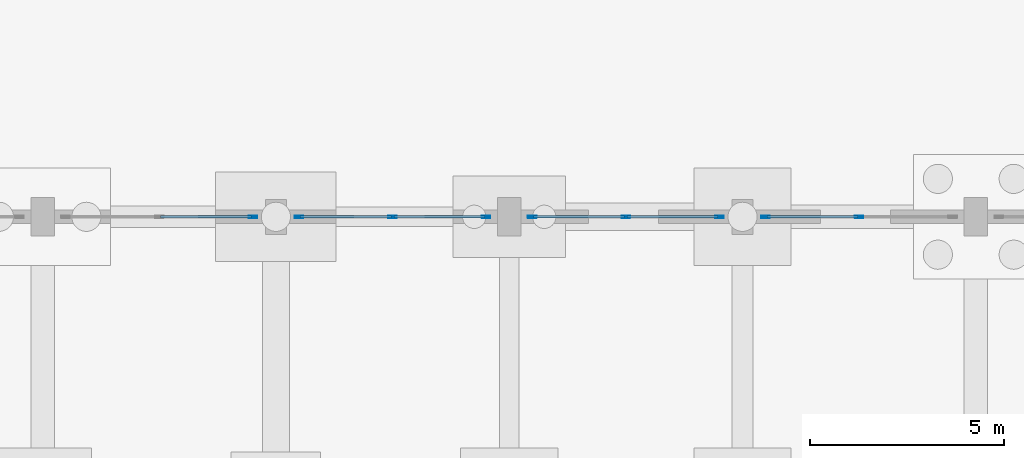
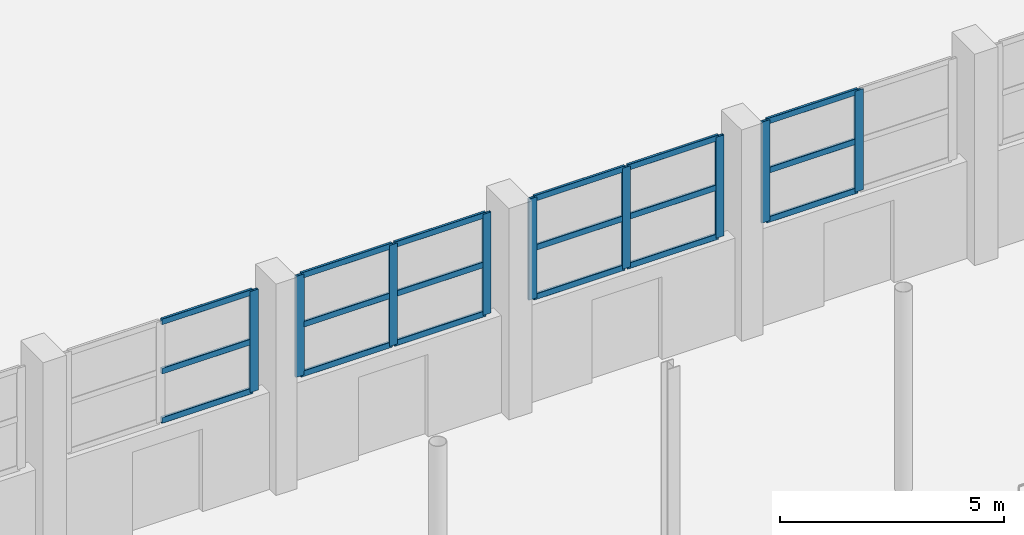
# One storey, part 55 of 103: 27 members, 4 elements without a shape of their own.
"""IFC4 building model written with IfcOpenShell, lengths in metres."""

import ifcopenshell
import ifcopenshell.guid

model = None  # the IFC model being written
_history = None  # IfcOwnerHistory: only IFC2X3 demands one
_inside = {}  # id of a spatial element -> (the spatial element, [elements in it])
_under = {}  # id of a project, library or spatial element -> (it, [spatial elements below it])
_declared = {}  # id of a project -> (the project, [libraries it declares])
_typed = {}  # id of a type object -> (the type object, [elements of that type])
_made_of = {}  # id of a material, layer set ... -> (it, [elements and type objects made of it])


def new_model(schema):
    """Start an empty IFC model of exactly this schema.

    Asked for "IFC4X3", IfcOpenShell would pick the latest addendum, in which some entities
    have other attributes; the version numbers below select the first issue.
    IFC2X3 requires an IfcOwnerHistory on every rooted entity: one is made here for all.
    """
    global model, _history
    if schema == "IFC4X3":
        model = ifcopenshell.file(schema_version=(4, 3, 0, 0))
    else:
        model = ifcopenshell.file(schema=schema)
    _inside.clear()
    _under.clear()
    _declared.clear()
    _typed.clear()
    _made_of.clear()
    _history = None
    if model.schema == "IFC2X3":
        org = make("IfcOrganization", Name="unknown")
        user = make(
            "IfcPersonAndOrganization",
            ThePerson=make("IfcPerson", FamilyName="unknown"),
            TheOrganization=org,
        )
        app = make(
            "IfcApplication",
            ApplicationDeveloper=org,
            Version="unknown",
            ApplicationFullName="unknown",
            ApplicationIdentifier="unknown",
        )
        _history = make(
            "IfcOwnerHistory",
            OwningUser=user,
            OwningApplication=app,
            ChangeAction="ADDED",
            CreationDate=0,
        )
    return model


def make(cls, **values):
    """One entity of the class cls with the attributes given. An attribute that is None is left unset."""
    return model.create_entity(
        cls, **{name: value for name, value in values.items() if value is not None}
    )


def rooted(cls, **values):
    """An entity with a GlobalId (a new one), such as an element, a storey or a relation."""
    return make(cls, GlobalId=ifcopenshell.guid.new(), OwnerHistory=_history, **values)


def si_unit(unit_type, name, prefix=None):
    """IfcSIUnit, for example si_unit("LENGTHUNIT", "METRE", prefix="MILLI")."""
    return make("IfcSIUnit", UnitType=unit_type, Prefix=prefix, Name=name)


def assignment(units):
    """IfcUnitAssignment: the units of a project."""
    return None if units is None else make("IfcUnitAssignment", Units=units)


def point(xyz):
    """IfcCartesianPoint."""
    return None if xyz is None else make("IfcCartesianPoint", Coordinates=xyz)


def direction(xyz):
    """IfcDirection."""
    return None if xyz is None else make("IfcDirection", DirectionRatios=xyz)


def frame(location, z_axis=None, x_axis=None):
    """IfcAxis2Placement3D, a coordinate frame: its origin and axes. An axis left out is left unset."""
    return make(
        "IfcAxis2Placement3D",
        Location=point(location),
        Axis=direction(z_axis),
        RefDirection=direction(x_axis),
    )


def frame_2d(location, x_axis=None):
    """IfcAxis2Placement2D, a coordinate frame in the plane: its origin and x axis."""
    return make(
        "IfcAxis2Placement2D", Location=point(location), RefDirection=direction(x_axis)
    )


def origin():
    """The frame at (0, 0, 0) with its axes left unset."""
    return frame((0.0, 0.0, 0.0))


def origin_2d():
    """The frame at (0, 0) in the plane with its x axis left unset."""
    return frame_2d((0.0, 0.0))


def place(relative_to, where):
    """IfcLocalPlacement: puts the frame where relative to a parent placement (None: the world)."""
    return make(
        "IfcLocalPlacement", PlacementRelTo=relative_to, RelativePlacement=where
    )


def context(
    kind, dimensions, precision=None, world=None, true_north=None, identifier=None
):
    """IfcGeometricRepresentationContext, for example the 3D "Model" context."""
    return make(
        "IfcGeometricRepresentationContext",
        ContextIdentifier=identifier,
        ContextType=kind,
        CoordinateSpaceDimension=dimensions,
        Precision=precision,
        WorldCoordinateSystem=world,
        TrueNorth=true_north,
    )


def subcontext(parent, identifier, kind, view, scale=None):
    """IfcGeometricRepresentationSubContext, for example "Body" below "Model"."""
    return make(
        "IfcGeometricRepresentationSubContext",
        ContextIdentifier=identifier,
        ContextType=kind,
        ParentContext=parent,
        TargetScale=scale,
        TargetView=view,
    )


def project(units=None, contexts=None):
    """IfcProject with its units and contexts."""
    return rooted(
        "IfcProject",
        Name="project",
        RepresentationContexts=contexts,
        UnitsInContext=assignment(units),
    )


def spatial(cls, under=None, at=None, **own):
    """A site, building, storey or space (cls), placed at a placement, below another one or the project."""
    s = rooted(cls, ObjectPlacement=at, **own)
    if under is not None:
        _under.setdefault(under.id(), (under, []))[1].append(s)
    return s


def profile(cls, at=None, kind="AREA", **sizes):
    """A parametric profile (cls). Its sizes go by their IFC names, for example OverallWidth=200.0."""
    return make(cls, ProfileType=kind, Position=at, **sizes)


def hollow_rectangle(**sizes):
    """IfcRectangleHollowProfileDef."""
    return profile("IfcRectangleHollowProfileDef", **sizes)


def extrude(swept, where, along, depth):
    """IfcExtrudedAreaSolid: the profile swept, set in the frame where, extruded along a direction by depth."""
    return make(
        "IfcExtrudedAreaSolid",
        SweptArea=swept,
        Position=where,
        ExtrudedDirection=direction(along),
        Depth=depth,
    )


def shape(context_of_items, identifier, shape_type, items):
    """IfcShapeRepresentation: the items that make up one representation, for example the "Body"."""
    return make(
        "IfcShapeRepresentation",
        ContextOfItems=context_of_items,
        RepresentationIdentifier=identifier,
        RepresentationType=shape_type,
        Items=items,
    )


def material(Name=None, Category=None):
    """IfcMaterial."""
    return make("IfcMaterial", Name=Name, Category=Category)


def layer(
    of_material, thickness, ventilated=None, Name=None, Category=None, Priority=None
):
    """IfcMaterialLayer: one layer of a wall or slab, of a material (None: an air gap)."""
    return make(
        "IfcMaterialLayer",
        Material=of_material,
        LayerThickness=thickness,
        IsVentilated=ventilated,
        Name=Name,
        Category=Category,
        Priority=Priority,
    )


def layer_set(layers, Name=None):
    """IfcMaterialLayerSet."""
    return make("IfcMaterialLayerSet", MaterialLayers=layers, LayerSetName=Name)


def material_profile(
    of_material, cross_section, Name=None, Category=None, Priority=None
):
    """IfcMaterialProfile: a cross section and its material."""
    return make(
        "IfcMaterialProfile",
        Name=Name,
        Material=of_material,
        Profile=cross_section,
        Priority=Priority,
        Category=Category,
    )


def profile_set(profiles, Name=None, composite=None):
    """IfcMaterialProfileSet."""
    return make(
        "IfcMaterialProfileSet",
        Name=Name,
        MaterialProfiles=profiles,
        CompositeProfile=composite,
    )


def made_of(thing, what):
    """Note that an element or type object is made of a material, layer set ...; save() writes the relation."""
    if what is not None:
        _made_of.setdefault(what.id(), (what, []))[1].append(thing)
    return thing


def type_object(cls, material=None, **own):
    """A type object (cls), such as IfcWallType, which elements share."""
    return made_of(rooted(cls, **own), material)


def element(
    cls,
    number,
    at=None,
    inside=None,
    cuts=None,
    type_object=None,
    material=None,
    context=None,
    identifier="Body",
    shape_type=None,
    held_by="IfcProductDefinitionShape",
    body=None,
    shapes=None,
    **own,
):
    """One element of the class cls, such as IfcWall. Its Tag is "e" and its number.

    at: its placement. inside: the storey or other place that contains it. cuts: it is an
    opening in that element (IfcRelVoidsElement). A single representation is given by context,
    identifier, shape_type and body (its items); several are given by shapes. held_by: the class
    of the entity that holds the representations. save() writes the other relations.
    """
    e = rooted(cls, Tag="e%d" % number, ObjectPlacement=at, **own)
    if body is not None:
        shapes = [shape(context, identifier, shape_type, body)]
    if shapes is not None:
        e.Representation = make(held_by, Representations=shapes)
    if inside is not None:
        _inside.setdefault(inside.id(), (inside, []))[1].append(e)
    if cuts is not None:
        rooted(
            "IfcRelVoidsElement", RelatingBuildingElement=cuts, RelatedOpeningElement=e
        )
    if type_object is not None:
        _typed.setdefault(type_object.id(), (type_object, []))[1].append(e)
    return made_of(e, material)


def aggregate(whole, parts):
    """IfcRelAggregates: a whole, such as a stair, and the parts it consists of."""
    return rooted("IfcRelAggregates", RelatingObject=whole, RelatedObjects=parts)


def save(model, path):
    """Write the relations noted so far, then the file.

    IfcRelAggregates (storeys below a building ...), IfcRelContainedInSpatialStructure (elements
    in a storey), IfcRelDefinesByType, IfcRelAssociatesMaterial and IfcRelDeclares: one each for
    every whole, place, type object, material and project.
    """
    for whole, parts in _under.values():
        aggregate(whole, parts)
    for where, things in _inside.values():
        rooted(
            "IfcRelContainedInSpatialStructure",
            RelatedElements=things,
            RelatingStructure=where,
        )
    for kind, things in _typed.values():
        rooted("IfcRelDefinesByType", RelatedObjects=things, RelatingType=kind)
    for what, things in _made_of.values():
        rooted("IfcRelAssociatesMaterial", RelatedObjects=things, RelatingMaterial=what)
    for by, libraries in _declared.values():
        rooted("IfcRelDeclares", RelatingContext=by, RelatedDefinitions=libraries)
    model.write(path)


model = new_model("IFC4")

# Units and contexts
model_context = context("Model", 3, precision=1e-05, world=origin(), true_north=direction((0.0, 1.0)))
body_context = subcontext(model_context, "Body", "Model", "MODEL_VIEW")
ifc_project = project(units=[si_unit("LENGTHUNIT", "METRE"), si_unit("AREAUNIT", "SQUARE_METRE"), si_unit("VOLUMEUNIT", "CUBIC_METRE"), si_unit("PLANEANGLEUNIT", "RADIAN"), si_unit("MASSUNIT", "GRAM", prefix="KILO")], contexts=[model_context])

# Site, building, storey
site_placement = place(None, origin())
site = spatial("IfcSite", under=ifc_project, at=site_placement, CompositionType="ELEMENT")
building_placement = place(site_placement, origin())
building = spatial("IfcBuilding", under=site, at=building_placement, Name="Dunvalen Ferry Terminal", CompositionType="ELEMENT")
storey_placement = place(building_placement, origin())
storey = spatial("IfcBuildingStorey", under=building, at=storey_placement, Name="L00", CompositionType="ELEMENT", Elevation=0.0)

# Curtain wall, member
ifc_material_1 = material(Name="Anodised marine aluminium and solar-control glazing", Category="aluminium")
ifc_layer = layer(ifc_material_1, 0.219970703125, Name="Anodised marine aluminium and solar-control glazing")
ifc_layer_set = layer_set([ifc_layer], Name="Anodised marine aluminium and solar-control glazing")
curtain_wall_type = type_object("IfcCurtainWallType", Name="ENV-CW-SYS-01", PredefinedType="NOTDEFINED", material=ifc_layer_set)
curtain_wall_1_placement = place(storey_placement, origin())
curtain_wall_1 = element("IfcCurtainWall", 1, at=curtain_wall_1_placement, inside=storey, type_object=curtain_wall_type, Name="L00 Curtain Wall CW-V1N-L00-09", PredefinedType="NOTDEFINED")
ifc_material_2 = material(Name="Anodised marine aluminium EN AW-6063 T6", Category="aluminium")
ifc_material_profile_1 = material_profile(ifc_material_2, hollow_rectangle(XDim=0.06494140625, YDim=0.219970703125, WallThickness=0.00390625, InnerFilletRadius=0.00390625, OuterFilletRadius=0.008056640625, at=origin_2d()), Name="Anodised marine aluminium EN AW-6063 T6")
ifc_profile_set_1 = profile_set([ifc_material_profile_1], Name="Anodised marine aluminium EN AW-6063 T6")
member_type_1 = type_object("IfcMemberType", Name="ENV-CW-MUL-1", PredefinedType="MULLION", material=ifc_profile_set_1)
member_1_placement = place(storey_placement, frame((65.407470703125, 86.39990234375, 2.699951171875), z_axis=(0.0, 0.0, 1.0), x_axis=(0.0, 1.0, 0.0)))
member_1 = element("IfcMember", 2, at=member_1_placement, type_object=member_type_1, Name="CW-01 mullion 3", PredefinedType="MULLION", context=body_context, shape_type="SweptSolid", body=[
    extrude(hollow_rectangle(XDim=0.06494140625, YDim=0.219970703125, WallThickness=0.00390625, InnerFilletRadius=0.00390625, OuterFilletRadius=0.008056640625, at=origin_2d()), origin(), (0.0, 0.0, 1.0), 2.75),
])

# Curtain wall, members
curtain_wall_2_placement = place(storey_placement, origin())
curtain_wall_2 = element("IfcCurtainWall", 3, at=curtain_wall_2_placement, inside=storey, type_object=curtain_wall_type, Name="L00 Curtain Wall CW-V1N-L00-10", PredefinedType="NOTDEFINED")
member_2_placement = place(storey_placement, frame((66.592529296875, 86.39990234375, 2.699951171875), z_axis=(0.0, 0.0, 1.0), x_axis=(0.0, 1.0, 0.0)))
member_2 = element("IfcMember", 4, at=member_2_placement, type_object=member_type_1, Name="CW-01 mullion 1", PredefinedType="MULLION", context=body_context, shape_type="SweptSolid", body=[
    extrude(hollow_rectangle(XDim=0.06494140625, YDim=0.219970703125, WallThickness=0.00390625, InnerFilletRadius=0.00390625, OuterFilletRadius=0.008056640625, at=origin_2d()), origin(), (0.0, 0.0, 1.0), 2.75),
])
member_3_placement = place(storey_placement, frame((69.0, 86.39990234375, 2.699951171875), z_axis=(0.0, 0.0, 1.0), x_axis=(0.0, 1.0, 0.0)))
member_3 = element("IfcMember", 5, at=member_3_placement, type_object=member_type_1, Name="CW-01 mullion 2", PredefinedType="MULLION", context=body_context, shape_type="SweptSolid", body=[
    extrude(hollow_rectangle(XDim=0.06494140625, YDim=0.219970703125, WallThickness=0.00390625, InnerFilletRadius=0.00390625, OuterFilletRadius=0.008056640625, at=origin_2d()), origin(), (0.0, 0.0, 1.0), 2.75),
])
member_4_placement = place(storey_placement, frame((71.407470703125, 86.39990234375, 2.699951171875), z_axis=(0.0, 0.0, 1.0), x_axis=(0.0, 1.0, 0.0)))
member_4 = element("IfcMember", 6, at=member_4_placement, type_object=member_type_1, Name="CW-01 mullion 3", PredefinedType="MULLION", context=body_context, shape_type="SweptSolid", body=[
    extrude(hollow_rectangle(XDim=0.06494140625, YDim=0.219970703125, WallThickness=0.00390625, InnerFilletRadius=0.00390625, OuterFilletRadius=0.008056640625, at=origin_2d()), origin(), (0.0, 0.0, 1.0), 2.75),
])

curtain_wall_3_placement = place(storey_placement, origin())
curtain_wall_3 = element("IfcCurtainWall", 7, at=curtain_wall_3_placement, inside=storey, type_object=curtain_wall_type, Name="L00 Curtain Wall CW-V1N-L00-11", PredefinedType="NOTDEFINED")
member_5_placement = place(storey_placement, frame((72.592529296875, 86.39990234375, 2.699951171875), z_axis=(0.0, 0.0, 1.0), x_axis=(0.0, 1.0, 0.0)))
member_5 = element("IfcMember", 8, at=member_5_placement, type_object=member_type_1, Name="CW-01 mullion 1", PredefinedType="MULLION", context=body_context, shape_type="SweptSolid", body=[
    extrude(hollow_rectangle(XDim=0.06494140625, YDim=0.219970703125, WallThickness=0.00390625, InnerFilletRadius=0.00390625, OuterFilletRadius=0.008056640625, at=origin_2d()), origin(), (0.0, 0.0, 1.0), 2.75),
])
member_6_placement = place(storey_placement, frame((75.0, 86.39990234375, 2.699951171875), z_axis=(0.0, 0.0, 1.0), x_axis=(0.0, 1.0, 0.0)))
member_6 = element("IfcMember", 9, at=member_6_placement, type_object=member_type_1, Name="CW-01 mullion 2", PredefinedType="MULLION", context=body_context, shape_type="SweptSolid", body=[
    extrude(hollow_rectangle(XDim=0.06494140625, YDim=0.219970703125, WallThickness=0.00390625, InnerFilletRadius=0.00390625, OuterFilletRadius=0.008056640625, at=origin_2d()), origin(), (0.0, 0.0, 1.0), 2.75),
])
member_7_placement = place(storey_placement, frame((77.407470703125, 86.39990234375, 2.699951171875), z_axis=(0.0, 0.0, 1.0), x_axis=(0.0, 1.0, 0.0)))
member_7 = element("IfcMember", 10, at=member_7_placement, type_object=member_type_1, Name="CW-01 mullion 3", PredefinedType="MULLION", context=body_context, shape_type="SweptSolid", body=[
    extrude(hollow_rectangle(XDim=0.06494140625, YDim=0.219970703125, WallThickness=0.00390625, InnerFilletRadius=0.00390625, OuterFilletRadius=0.008056640625, at=origin_2d()), origin(), (0.0, 0.0, 1.0), 2.75),
])

curtain_wall_4_placement = place(storey_placement, origin())
curtain_wall_4 = element("IfcCurtainWall", 11, at=curtain_wall_4_placement, inside=storey, type_object=curtain_wall_type, Name="L00 Curtain Wall CW-V1N-L00-12", PredefinedType="NOTDEFINED")
member_8_placement = place(storey_placement, frame((78.592529296875, 86.39990234375, 2.699951171875), z_axis=(0.0, 0.0, 1.0), x_axis=(0.0, 1.0, 0.0)))
member_8 = element("IfcMember", 12, at=member_8_placement, type_object=member_type_1, Name="CW-01 mullion 1", PredefinedType="MULLION", context=body_context, shape_type="SweptSolid", body=[
    extrude(hollow_rectangle(XDim=0.06494140625, YDim=0.219970703125, WallThickness=0.00390625, InnerFilletRadius=0.00390625, OuterFilletRadius=0.008056640625, at=origin_2d()), origin(), (0.0, 0.0, 1.0), 2.75),
])
member_9_placement = place(storey_placement, frame((81.0, 86.39990234375, 2.699951171875), z_axis=(0.0, 0.0, 1.0), x_axis=(0.0, 1.0, 0.0)))
member_9 = element("IfcMember", 13, at=member_9_placement, type_object=member_type_1, Name="CW-01 mullion 2", PredefinedType="MULLION", context=body_context, shape_type="SweptSolid", body=[
    extrude(hollow_rectangle(XDim=0.06494140625, YDim=0.219970703125, WallThickness=0.00390625, InnerFilletRadius=0.00390625, OuterFilletRadius=0.008056640625, at=origin_2d()), origin(), (0.0, 0.0, 1.0), 2.75),
])

# Member
ifc_material_profile_2 = material_profile(ifc_material_2, hollow_rectangle(XDim=0.06494140625, YDim=0.159912109375, WallThickness=0.00341796875, InnerFilletRadius=0.00341796875, OuterFilletRadius=0.007080078125, at=origin_2d()), Name="Anodised marine aluminium EN AW-6063 T6")
ifc_profile_set_2 = profile_set([ifc_material_profile_2], Name="Anodised marine aluminium EN AW-6063 T6")
member_type_2 = type_object("IfcMemberType", Name="ENV-CW-TRN-1", PredefinedType="USERDEFINED", material=ifc_profile_set_2)
member_10_placement = place(storey_placement, frame((63.032470703125, 86.39990234375, 2.732421875), z_axis=(1.0, 0.0, 0.0), x_axis=(0.0, 1.0, 0.0)))
member_10 = element("IfcMember", 14, at=member_10_placement, type_object=member_type_2, Name="CW-01 transom 2.1", ObjectType="TRANSOM", PredefinedType="USERDEFINED", context=body_context, shape_type="SweptSolid", body=[
    extrude(hollow_rectangle(XDim=0.06494140625, YDim=0.159912109375, WallThickness=0.00341796875, InnerFilletRadius=0.00341796875, OuterFilletRadius=0.007080078125, at=origin_2d()), origin(), (0.0, 0.0, 1.0), 2.342529296875),
])

member_11_placement = place(storey_placement, frame((63.032470703125, 86.39990234375, 4.074951171875), z_axis=(1.0, 0.0, 0.0), x_axis=(0.0, 1.0, 0.0)))
member_11 = element("IfcMember", 15, at=member_11_placement, type_object=member_type_2, Name="CW-01 transom 2.2", ObjectType="TRANSOM", PredefinedType="USERDEFINED", context=body_context, shape_type="SweptSolid", body=[
    extrude(hollow_rectangle(XDim=0.06494140625, YDim=0.159912109375, WallThickness=0.00341796875, InnerFilletRadius=0.00341796875, OuterFilletRadius=0.007080078125, at=origin_2d()), origin(), (0.0, 0.0, 1.0), 2.342529296875),
])

member_12_placement = place(storey_placement, frame((63.032470703125, 86.39990234375, 5.41748046875), z_axis=(1.0, 0.0, 0.0), x_axis=(0.0, 1.0, 0.0)))
member_12 = element("IfcMember", 16, at=member_12_placement, type_object=member_type_2, Name="CW-01 transom 2.3", ObjectType="TRANSOM", PredefinedType="USERDEFINED", context=body_context, shape_type="SweptSolid", body=[
    extrude(hollow_rectangle(XDim=0.06494140625, YDim=0.159912109375, WallThickness=0.00341796875, InnerFilletRadius=0.00341796875, OuterFilletRadius=0.007080078125, at=origin_2d()), origin(), (0.0, 0.0, 1.0), 2.342529296875),
])

aggregate(curtain_wall_1, [member_1, member_10, member_11, member_12])

member_13_placement = place(storey_placement, frame((66.625, 86.39990234375, 2.732421875), z_axis=(1.0, 0.0, 0.0), x_axis=(0.0, 1.0, 0.0)))
member_13 = element("IfcMember", 17, at=member_13_placement, type_object=member_type_2, Name="CW-01 transom 1.1", ObjectType="TRANSOM", PredefinedType="USERDEFINED", context=body_context, shape_type="SweptSolid", body=[
    extrude(hollow_rectangle(XDim=0.06494140625, YDim=0.159912109375, WallThickness=0.00341796875, InnerFilletRadius=0.00341796875, OuterFilletRadius=0.007080078125, at=origin_2d()), origin(), (0.0, 0.0, 1.0), 2.342529296875),
])

member_14_placement = place(storey_placement, frame((66.625, 86.39990234375, 4.074951171875), z_axis=(1.0, 0.0, 0.0), x_axis=(0.0, 1.0, 0.0)))
member_14 = element("IfcMember", 18, at=member_14_placement, type_object=member_type_2, Name="CW-01 transom 1.2", ObjectType="TRANSOM", PredefinedType="USERDEFINED", context=body_context, shape_type="SweptSolid", body=[
    extrude(hollow_rectangle(XDim=0.06494140625, YDim=0.159912109375, WallThickness=0.00341796875, InnerFilletRadius=0.00341796875, OuterFilletRadius=0.007080078125, at=origin_2d()), origin(), (0.0, 0.0, 1.0), 2.342529296875),
])

member_15_placement = place(storey_placement, frame((66.625, 86.39990234375, 5.41748046875), z_axis=(1.0, 0.0, 0.0), x_axis=(0.0, 1.0, 0.0)))
member_15 = element("IfcMember", 19, at=member_15_placement, type_object=member_type_2, Name="CW-01 transom 1.3", ObjectType="TRANSOM", PredefinedType="USERDEFINED", context=body_context, shape_type="SweptSolid", body=[
    extrude(hollow_rectangle(XDim=0.06494140625, YDim=0.159912109375, WallThickness=0.00341796875, InnerFilletRadius=0.00341796875, OuterFilletRadius=0.007080078125, at=origin_2d()), origin(), (0.0, 0.0, 1.0), 2.342529296875),
])

member_16_placement = place(storey_placement, frame((69.032470703125, 86.39990234375, 2.732421875), z_axis=(1.0, 0.0, 0.0), x_axis=(0.0, 1.0, 0.0)))
member_16 = element("IfcMember", 20, at=member_16_placement, type_object=member_type_2, Name="CW-01 transom 2.1", ObjectType="TRANSOM", PredefinedType="USERDEFINED", context=body_context, shape_type="SweptSolid", body=[
    extrude(hollow_rectangle(XDim=0.06494140625, YDim=0.159912109375, WallThickness=0.00341796875, InnerFilletRadius=0.00341796875, OuterFilletRadius=0.007080078125, at=origin_2d()), origin(), (0.0, 0.0, 1.0), 2.342529296875),
])

member_17_placement = place(storey_placement, frame((69.032470703125, 86.39990234375, 4.074951171875), z_axis=(1.0, 0.0, 0.0), x_axis=(0.0, 1.0, 0.0)))
member_17 = element("IfcMember", 21, at=member_17_placement, type_object=member_type_2, Name="CW-01 transom 2.2", ObjectType="TRANSOM", PredefinedType="USERDEFINED", context=body_context, shape_type="SweptSolid", body=[
    extrude(hollow_rectangle(XDim=0.06494140625, YDim=0.159912109375, WallThickness=0.00341796875, InnerFilletRadius=0.00341796875, OuterFilletRadius=0.007080078125, at=origin_2d()), origin(), (0.0, 0.0, 1.0), 2.342529296875),
])

member_18_placement = place(storey_placement, frame((69.032470703125, 86.39990234375, 5.41748046875), z_axis=(1.0, 0.0, 0.0), x_axis=(0.0, 1.0, 0.0)))
member_18 = element("IfcMember", 22, at=member_18_placement, type_object=member_type_2, Name="CW-01 transom 2.3", ObjectType="TRANSOM", PredefinedType="USERDEFINED", context=body_context, shape_type="SweptSolid", body=[
    extrude(hollow_rectangle(XDim=0.06494140625, YDim=0.159912109375, WallThickness=0.00341796875, InnerFilletRadius=0.00341796875, OuterFilletRadius=0.007080078125, at=origin_2d()), origin(), (0.0, 0.0, 1.0), 2.342529296875),
])

aggregate(curtain_wall_2, [member_2, member_3, member_4, member_13, member_14, member_15, member_16, member_17, member_18])

member_19_placement = place(storey_placement, frame((72.625, 86.39990234375, 2.732421875), z_axis=(1.0, 0.0, 0.0), x_axis=(0.0, 1.0, 0.0)))
member_19 = element("IfcMember", 23, at=member_19_placement, type_object=member_type_2, Name="CW-01 transom 1.1", ObjectType="TRANSOM", PredefinedType="USERDEFINED", context=body_context, shape_type="SweptSolid", body=[
    extrude(hollow_rectangle(XDim=0.06494140625, YDim=0.159912109375, WallThickness=0.00341796875, InnerFilletRadius=0.00341796875, OuterFilletRadius=0.007080078125, at=origin_2d()), origin(), (0.0, 0.0, 1.0), 2.342529296875),
])

member_20_placement = place(storey_placement, frame((72.625, 86.39990234375, 4.074951171875), z_axis=(1.0, 0.0, 0.0), x_axis=(0.0, 1.0, 0.0)))
member_20 = element("IfcMember", 24, at=member_20_placement, type_object=member_type_2, Name="CW-01 transom 1.2", ObjectType="TRANSOM", PredefinedType="USERDEFINED", context=body_context, shape_type="SweptSolid", body=[
    extrude(hollow_rectangle(XDim=0.06494140625, YDim=0.159912109375, WallThickness=0.00341796875, InnerFilletRadius=0.00341796875, OuterFilletRadius=0.007080078125, at=origin_2d()), origin(), (0.0, 0.0, 1.0), 2.342529296875),
])

member_21_placement = place(storey_placement, frame((72.625, 86.39990234375, 5.41748046875), z_axis=(1.0, 0.0, 0.0), x_axis=(0.0, 1.0, 0.0)))
member_21 = element("IfcMember", 25, at=member_21_placement, type_object=member_type_2, Name="CW-01 transom 1.3", ObjectType="TRANSOM", PredefinedType="USERDEFINED", context=body_context, shape_type="SweptSolid", body=[
    extrude(hollow_rectangle(XDim=0.06494140625, YDim=0.159912109375, WallThickness=0.00341796875, InnerFilletRadius=0.00341796875, OuterFilletRadius=0.007080078125, at=origin_2d()), origin(), (0.0, 0.0, 1.0), 2.342529296875),
])

member_22_placement = place(storey_placement, frame((75.032470703125, 86.39990234375, 2.732421875), z_axis=(1.0, 0.0, 0.0), x_axis=(0.0, 1.0, 0.0)))
member_22 = element("IfcMember", 26, at=member_22_placement, type_object=member_type_2, Name="CW-01 transom 2.1", ObjectType="TRANSOM", PredefinedType="USERDEFINED", context=body_context, shape_type="SweptSolid", body=[
    extrude(hollow_rectangle(XDim=0.06494140625, YDim=0.159912109375, WallThickness=0.00341796875, InnerFilletRadius=0.00341796875, OuterFilletRadius=0.007080078125, at=origin_2d()), origin(), (0.0, 0.0, 1.0), 2.342529296875),
])

member_23_placement = place(storey_placement, frame((75.032470703125, 86.39990234375, 4.074951171875), z_axis=(1.0, 0.0, 0.0), x_axis=(0.0, 1.0, 0.0)))
member_23 = element("IfcMember", 27, at=member_23_placement, type_object=member_type_2, Name="CW-01 transom 2.2", ObjectType="TRANSOM", PredefinedType="USERDEFINED", context=body_context, shape_type="SweptSolid", body=[
    extrude(hollow_rectangle(XDim=0.06494140625, YDim=0.159912109375, WallThickness=0.00341796875, InnerFilletRadius=0.00341796875, OuterFilletRadius=0.007080078125, at=origin_2d()), origin(), (0.0, 0.0, 1.0), 2.342529296875),
])

member_24_placement = place(storey_placement, frame((75.032470703125, 86.39990234375, 5.41748046875), z_axis=(1.0, 0.0, 0.0), x_axis=(0.0, 1.0, 0.0)))
member_24 = element("IfcMember", 28, at=member_24_placement, type_object=member_type_2, Name="CW-01 transom 2.3", ObjectType="TRANSOM", PredefinedType="USERDEFINED", context=body_context, shape_type="SweptSolid", body=[
    extrude(hollow_rectangle(XDim=0.06494140625, YDim=0.159912109375, WallThickness=0.00341796875, InnerFilletRadius=0.00341796875, OuterFilletRadius=0.007080078125, at=origin_2d()), origin(), (0.0, 0.0, 1.0), 2.342529296875),
])

aggregate(curtain_wall_3, [member_5, member_6, member_7, member_19, member_20, member_21, member_22, member_23, member_24])

member_25_placement = place(storey_placement, frame((78.625, 86.39990234375, 2.732421875), z_axis=(1.0, 0.0, 0.0), x_axis=(0.0, 1.0, 0.0)))
member_25 = element("IfcMember", 29, at=member_25_placement, type_object=member_type_2, Name="CW-01 transom 1.1", ObjectType="TRANSOM", PredefinedType="USERDEFINED", context=body_context, shape_type="SweptSolid", body=[
    extrude(hollow_rectangle(XDim=0.06494140625, YDim=0.159912109375, WallThickness=0.00341796875, InnerFilletRadius=0.00341796875, OuterFilletRadius=0.007080078125, at=origin_2d()), origin(), (0.0, 0.0, 1.0), 2.342529296875),
])

member_26_placement = place(storey_placement, frame((78.625, 86.39990234375, 4.074951171875), z_axis=(1.0, 0.0, 0.0), x_axis=(0.0, 1.0, 0.0)))
member_26 = element("IfcMember", 30, at=member_26_placement, type_object=member_type_2, Name="CW-01 transom 1.2", ObjectType="TRANSOM", PredefinedType="USERDEFINED", context=body_context, shape_type="SweptSolid", body=[
    extrude(hollow_rectangle(XDim=0.06494140625, YDim=0.159912109375, WallThickness=0.00341796875, InnerFilletRadius=0.00341796875, OuterFilletRadius=0.007080078125, at=origin_2d()), origin(), (0.0, 0.0, 1.0), 2.342529296875),
])

member_27_placement = place(storey_placement, frame((78.625, 86.39990234375, 5.41748046875), z_axis=(1.0, 0.0, 0.0), x_axis=(0.0, 1.0, 0.0)))
member_27 = element("IfcMember", 31, at=member_27_placement, type_object=member_type_2, Name="CW-01 transom 1.3", ObjectType="TRANSOM", PredefinedType="USERDEFINED", context=body_context, shape_type="SweptSolid", body=[
    extrude(hollow_rectangle(XDim=0.06494140625, YDim=0.159912109375, WallThickness=0.00341796875, InnerFilletRadius=0.00341796875, OuterFilletRadius=0.007080078125, at=origin_2d()), origin(), (0.0, 0.0, 1.0), 2.342529296875),
])

aggregate(curtain_wall_4, [member_8, member_9, member_25, member_26, member_27])

save(model, "model.ifc")
